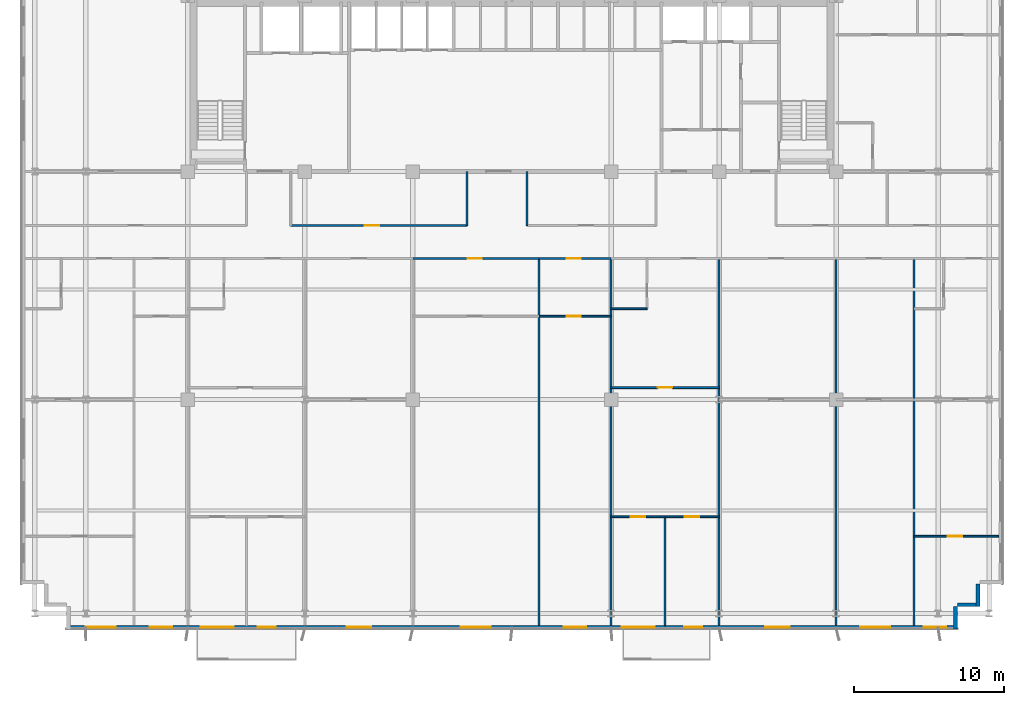
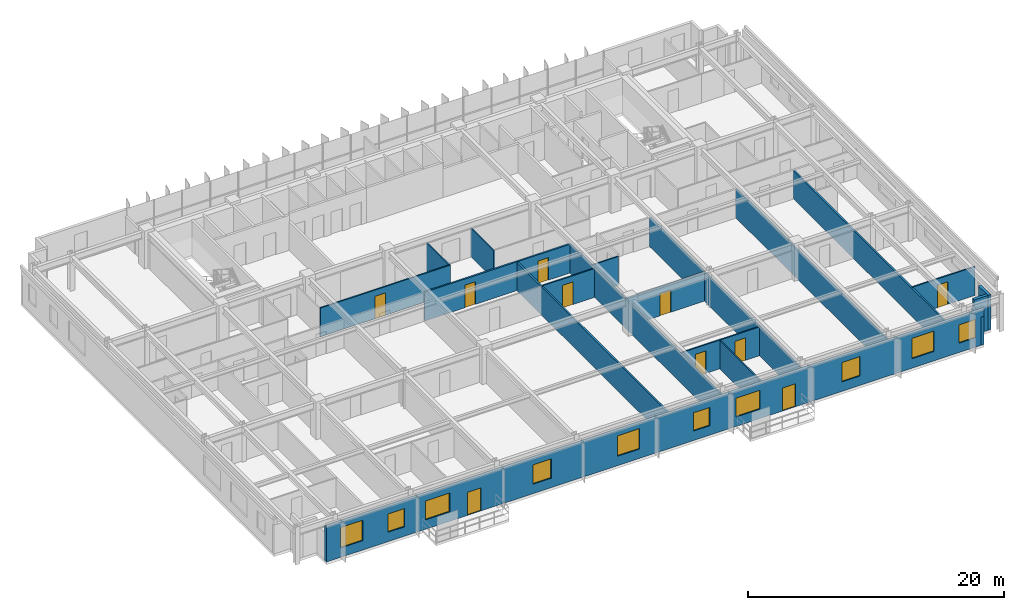
# One storey, part 16 of 22: 21 walls, 10 doors, 10 windows, 20 openings.
"""IFC4 building model written with IfcOpenShell, lengths in metres."""

import ifcopenshell
import ifcopenshell.guid

model = None  # the IFC model being written
_history = None  # IfcOwnerHistory: only IFC2X3 demands one
_inside = {}  # id of a spatial element -> (the spatial element, [elements in it])
_under = {}  # id of a project, library or spatial element -> (it, [spatial elements below it])
_declared = {}  # id of a project -> (the project, [libraries it declares])
_typed = {}  # id of a type object -> (the type object, [elements of that type])
_made_of = {}  # id of a material, layer set ... -> (it, [elements and type objects made of it])


def new_model(schema):
    """Start an empty IFC model of exactly this schema.

    Asked for "IFC4X3", IfcOpenShell would pick the latest addendum, in which some entities
    have other attributes; the version numbers below select the first issue.
    IFC2X3 requires an IfcOwnerHistory on every rooted entity: one is made here for all.
    """
    global model, _history
    if schema == "IFC4X3":
        model = ifcopenshell.file(schema_version=(4, 3, 0, 0))
    else:
        model = ifcopenshell.file(schema=schema)
    _inside.clear()
    _under.clear()
    _declared.clear()
    _typed.clear()
    _made_of.clear()
    _history = None
    if model.schema == "IFC2X3":
        org = make("IfcOrganization", Name="unknown")
        user = make(
            "IfcPersonAndOrganization",
            ThePerson=make("IfcPerson", FamilyName="unknown"),
            TheOrganization=org,
        )
        app = make(
            "IfcApplication",
            ApplicationDeveloper=org,
            Version="unknown",
            ApplicationFullName="unknown",
            ApplicationIdentifier="unknown",
        )
        _history = make(
            "IfcOwnerHistory",
            OwningUser=user,
            OwningApplication=app,
            ChangeAction="ADDED",
            CreationDate=0,
        )
    return model


def make(cls, **values):
    """One entity of the class cls with the attributes given. An attribute that is None is left unset."""
    return model.create_entity(
        cls, **{name: value for name, value in values.items() if value is not None}
    )


def rooted(cls, **values):
    """An entity with a GlobalId (a new one), such as an element, a storey or a relation."""
    return make(cls, GlobalId=ifcopenshell.guid.new(), OwnerHistory=_history, **values)


def si_unit(unit_type, name, prefix=None):
    """IfcSIUnit, for example si_unit("LENGTHUNIT", "METRE", prefix="MILLI")."""
    return make("IfcSIUnit", UnitType=unit_type, Prefix=prefix, Name=name)


def assignment(units):
    """IfcUnitAssignment: the units of a project."""
    return None if units is None else make("IfcUnitAssignment", Units=units)


def point(xyz):
    """IfcCartesianPoint."""
    return None if xyz is None else make("IfcCartesianPoint", Coordinates=xyz)


def direction(xyz):
    """IfcDirection."""
    return None if xyz is None else make("IfcDirection", DirectionRatios=xyz)


def frame(location, z_axis=None, x_axis=None):
    """IfcAxis2Placement3D, a coordinate frame: its origin and axes. An axis left out is left unset."""
    return make(
        "IfcAxis2Placement3D",
        Location=point(location),
        Axis=direction(z_axis),
        RefDirection=direction(x_axis),
    )


def frame_2d(location, x_axis=None):
    """IfcAxis2Placement2D, a coordinate frame in the plane: its origin and x axis."""
    return make(
        "IfcAxis2Placement2D", Location=point(location), RefDirection=direction(x_axis)
    )


def origin():
    """The frame at (0, 0, 0) with its axes left unset."""
    return frame((0.0, 0.0, 0.0))


def place(relative_to, where):
    """IfcLocalPlacement: puts the frame where relative to a parent placement (None: the world)."""
    return make(
        "IfcLocalPlacement", PlacementRelTo=relative_to, RelativePlacement=where
    )


def context(
    kind, dimensions, precision=None, world=None, true_north=None, identifier=None
):
    """IfcGeometricRepresentationContext, for example the 3D "Model" context."""
    return make(
        "IfcGeometricRepresentationContext",
        ContextIdentifier=identifier,
        ContextType=kind,
        CoordinateSpaceDimension=dimensions,
        Precision=precision,
        WorldCoordinateSystem=world,
        TrueNorth=true_north,
    )


def subcontext(parent, identifier, kind, view, scale=None):
    """IfcGeometricRepresentationSubContext, for example "Body" below "Model"."""
    return make(
        "IfcGeometricRepresentationSubContext",
        ContextIdentifier=identifier,
        ContextType=kind,
        ParentContext=parent,
        TargetScale=scale,
        TargetView=view,
    )


def project(units=None, contexts=None):
    """IfcProject with its units and contexts."""
    return rooted(
        "IfcProject",
        Name="project",
        RepresentationContexts=contexts,
        UnitsInContext=assignment(units),
    )


def spatial(cls, under=None, at=None, **own):
    """A site, building, storey or space (cls), placed at a placement, below another one or the project."""
    s = rooted(cls, ObjectPlacement=at, **own)
    if under is not None:
        _under.setdefault(under.id(), (under, []))[1].append(s)
    return s


def profile(cls, at=None, kind="AREA", **sizes):
    """A parametric profile (cls). Its sizes go by their IFC names, for example OverallWidth=200.0."""
    return make(cls, ProfileType=kind, Position=at, **sizes)


def rectangle(**sizes):
    """IfcRectangleProfileDef."""
    return profile("IfcRectangleProfileDef", **sizes)


def extrude(swept, where, along, depth):
    """IfcExtrudedAreaSolid: the profile swept, set in the frame where, extruded along a direction by depth."""
    return make(
        "IfcExtrudedAreaSolid",
        SweptArea=swept,
        Position=where,
        ExtrudedDirection=direction(along),
        Depth=depth,
    )


def shape(context_of_items, identifier, shape_type, items):
    """IfcShapeRepresentation: the items that make up one representation, for example the "Body"."""
    return make(
        "IfcShapeRepresentation",
        ContextOfItems=context_of_items,
        RepresentationIdentifier=identifier,
        RepresentationType=shape_type,
        Items=items,
    )


def source(mapping_origin, context_of_items, identifier, shape_type, items):
    """IfcRepresentationMap: a shape defined once, which mapped items show again and again."""
    return make(
        "IfcRepresentationMap",
        MappingOrigin=mapping_origin,
        MappedRepresentation=shape(context_of_items, identifier, shape_type, items),
    )


def transform(
    local_origin,
    x_axis=None,
    y_axis=None,
    z_axis=None,
    scale=None,
    scale2=None,
    scale3=None,
    uniform=True,
):
    """IfcCartesianTransformationOperator3D, or its non-uniform kind. x_axis, y_axis, z_axis: its Axis1, 2, 3."""
    if uniform:
        return make(
            "IfcCartesianTransformationOperator3D",
            Axis1=direction(x_axis),
            Axis2=direction(y_axis),
            LocalOrigin=point(local_origin),
            Scale=scale,
            Axis3=direction(z_axis),
        )
    return make(
        "IfcCartesianTransformationOperator3DnonUniform",
        Axis1=direction(x_axis),
        Axis2=direction(y_axis),
        LocalOrigin=point(local_origin),
        Scale=scale,
        Axis3=direction(z_axis),
        Scale2=scale2,
        Scale3=scale3,
    )


def mapped(mapping_source, mapping_target):
    """IfcMappedItem: shows the shape of a source again, moved by a transform."""
    return make(
        "IfcMappedItem", MappingSource=mapping_source, MappingTarget=mapping_target
    )


def material(Name=None, Category=None):
    """IfcMaterial."""
    return make("IfcMaterial", Name=Name, Category=Category)


def layer(
    of_material, thickness, ventilated=None, Name=None, Category=None, Priority=None
):
    """IfcMaterialLayer: one layer of a wall or slab, of a material (None: an air gap)."""
    return make(
        "IfcMaterialLayer",
        Material=of_material,
        LayerThickness=thickness,
        IsVentilated=ventilated,
        Name=Name,
        Category=Category,
        Priority=Priority,
    )


def layer_set(layers, Name=None):
    """IfcMaterialLayerSet."""
    return make("IfcMaterialLayerSet", MaterialLayers=layers, LayerSetName=Name)


def made_of(thing, what):
    """Note that an element or type object is made of a material, layer set ...; save() writes the relation."""
    if what is not None:
        _made_of.setdefault(what.id(), (what, []))[1].append(thing)
    return thing


def type_object(cls, material=None, **own):
    """A type object (cls), such as IfcWallType, which elements share."""
    return made_of(rooted(cls, **own), material)


def element(
    cls,
    number,
    at=None,
    inside=None,
    cuts=None,
    type_object=None,
    material=None,
    context=None,
    identifier="Body",
    shape_type=None,
    held_by="IfcProductDefinitionShape",
    body=None,
    shapes=None,
    **own,
):
    """One element of the class cls, such as IfcWall. Its Tag is "e" and its number.

    at: its placement. inside: the storey or other place that contains it. cuts: it is an
    opening in that element (IfcRelVoidsElement). A single representation is given by context,
    identifier, shape_type and body (its items); several are given by shapes. held_by: the class
    of the entity that holds the representations. save() writes the other relations.
    """
    e = rooted(cls, Tag="e%d" % number, ObjectPlacement=at, **own)
    if body is not None:
        shapes = [shape(context, identifier, shape_type, body)]
    if shapes is not None:
        e.Representation = make(held_by, Representations=shapes)
    if inside is not None:
        _inside.setdefault(inside.id(), (inside, []))[1].append(e)
    if cuts is not None:
        rooted(
            "IfcRelVoidsElement", RelatingBuildingElement=cuts, RelatedOpeningElement=e
        )
    if type_object is not None:
        _typed.setdefault(type_object.id(), (type_object, []))[1].append(e)
    return made_of(e, material)


def fill(opening, filler):
    """IfcRelFillsElement: the door or window that sits in an opening."""
    return rooted(
        "IfcRelFillsElement",
        RelatingOpeningElement=opening,
        RelatedBuildingElement=filler,
    )


def aggregate(whole, parts):
    """IfcRelAggregates: a whole, such as a stair, and the parts it consists of."""
    return rooted("IfcRelAggregates", RelatingObject=whole, RelatedObjects=parts)


def save(model, path):
    """Write the relations noted so far, then the file.

    IfcRelAggregates (storeys below a building ...), IfcRelContainedInSpatialStructure (elements
    in a storey), IfcRelDefinesByType, IfcRelAssociatesMaterial and IfcRelDeclares: one each for
    every whole, place, type object, material and project.
    """
    for whole, parts in _under.values():
        aggregate(whole, parts)
    for where, things in _inside.values():
        rooted(
            "IfcRelContainedInSpatialStructure",
            RelatedElements=things,
            RelatingStructure=where,
        )
    for kind, things in _typed.values():
        rooted("IfcRelDefinesByType", RelatedObjects=things, RelatingType=kind)
    for what, things in _made_of.values():
        rooted("IfcRelAssociatesMaterial", RelatedObjects=things, RelatingMaterial=what)
    for by, libraries in _declared.values():
        rooted("IfcRelDeclares", RelatingContext=by, RelatedDefinitions=libraries)
    model.write(path)


model = new_model("IFC4")

# Units and contexts
model_context = context("Model", 3, precision=1e-05, world=origin(), true_north=direction((0.0, 1.0)))
body_context = subcontext(model_context, "Body", "Model", "MODEL_VIEW")
ifc_project = project(units=[si_unit("LENGTHUNIT", "METRE"), si_unit("AREAUNIT", "SQUARE_METRE"), si_unit("VOLUMEUNIT", "CUBIC_METRE"), si_unit("PLANEANGLEUNIT", "RADIAN"), si_unit("MASSUNIT", "GRAM", prefix="KILO")], contexts=[model_context])

# Site, building, storey
site_placement = place(None, origin())
site = spatial("IfcSite", under=ifc_project, at=site_placement, CompositionType="ELEMENT")
building_placement = place(site_placement, origin())
building = spatial("IfcBuilding", under=site, at=building_placement, Name="Trelvane Seafront Commons", CompositionType="ELEMENT")
storey_placement = place(building_placement, frame((0.0, 0.0, 48.699951171875)))
storey = spatial("IfcBuildingStorey", under=building, at=storey_placement, Name="L12", CompositionType="ELEMENT", Elevation=48.699951171875)

# Walls
ifc_material_1 = material(Name="Precast concrete C40/50", Category="concrete")
ifc_layer_1 = layer(ifc_material_1, 0.260009765625, Name="ARCH-WALL-EXT260")
ifc_layer_set_1 = layer_set([ifc_layer_1], Name="Precast concrete C40/50")
wall_type_1 = type_object("IfcWallType", Name="ARCH-WALL-EXT260", PredefinedType="SOLIDWALL", material=ifc_layer_set_1)
for number, where, z_axis, x_axis, name in (
    (1, (68.27001953125, 5.89990234375, 0.0), (0.0, 0.0, 1.0), (0.0, -1.0, 0.0), "EW-L12-00208"),
    (2, (68.39990234375, 4.530029296875, 0.0), (0.0, 0.0, 1.0), (-1.0, 0.0, 0.0), "EW-L12-00209"),
):
    element("IfcWall", number, at=place(storey_placement, frame(where, z_axis=z_axis, x_axis=x_axis)), inside=storey, type_object=wall_type_1, Name=name, PredefinedType="SOLIDWALL", context=body_context, shape_type="SweptSolid", body=[
        extrude(rectangle(XDim=1.5, YDim=0.260009765625, at=frame_2d((0.75, 0.0))), origin(), (0.0, 0.0, 1.0), 3.340087890625),
    ])
wall_1_placement = place(storey_placement, frame((66.77001953125, 4.39990234375, 0.0), z_axis=(0.0, 0.0, 1.0), x_axis=(0.0, -1.0, 0.0)))
element("IfcWall", 3, at=wall_1_placement, inside=storey, type_object=wall_type_1, Name="EW-L12-00210", PredefinedType="SOLIDWALL", context=body_context, shape_type="SweptSolid", body=[
    extrude(rectangle(XDim=1.5, YDim=0.260009765625, at=frame_2d((0.75, 0.0))), origin(), (0.0, 0.0, 1.0), 2.68994140625),
])

# Wall, openings, doors, windows
wall_2_placement = place(storey_placement, frame((66.89990234375, 3.030029296875, 0.0), z_axis=(0.0, 0.0, 1.0), x_axis=(-1.0, 0.0, 0.0)))
wall_2 = element("IfcWall", 4, at=wall_2_placement, inside=storey, type_object=wall_type_1, Name="EW-L12-00211", PredefinedType="SOLIDWALL", context=body_context, shape_type="SweptSolid", body=[
    extrude(rectangle(XDim=59.39990234375, YDim=0.260009765625, at=frame_2d((29.699951171875, 0.0))), origin(), (0.0, 0.0, 1.0), 3.340087890625),
])
opening_1_placement = place(wall_2_placement, frame((0.7451171875, 0.0, 0.89990234375)))
opening_1 = element("IfcOpeningElement", 5, at=opening_1_placement, cuts=wall_2, Name="Opening W03", PredefinedType="OPENING", context=body_context, shape_type="SweptSolid", body=[
    extrude(rectangle(XDim=1.5, YDim=1.75, at=frame_2d((0.75, 0.875))), frame((0.0, 0.139892578125, 0.0), z_axis=(0.0, -1.0, 0.0), x_axis=(1.0, 0.0, 0.0)), (0.0, 0.0, 1.0), 0.280029296875),
])
opening_2_placement = place(wall_2_placement, frame((4.5, 0.0, 0.89990234375)))
opening_2 = element("IfcOpeningElement", 6, at=opening_2_placement, cuts=wall_2, Name="Opening W06", PredefinedType="OPENING", context=body_context, shape_type="SweptSolid", body=[
    extrude(rectangle(XDim=2.0, YDim=1.949951171875, at=frame_2d((1.0, 0.97509765625))), frame((0.0, 0.139892578125, 0.0), z_axis=(0.0, -1.0, 0.0), x_axis=(1.0, 0.0, 0.0)), (0.0, 0.0, 1.0), 0.280029296875),
])
opening_3_placement = place(wall_2_placement, frame((11.175048828125, 0.0, 0.89990234375)))
opening_3 = element("IfcOpeningElement", 7, at=opening_3_placement, cuts=wall_2, Name="Opening W07", PredefinedType="OPENING", context=body_context, shape_type="SweptSolid", body=[
    extrude(rectangle(XDim=1.64990234375, YDim=1.85009765625, at=frame_2d((0.824951171875, 0.925048828125))), frame((0.0, 0.139892578125, 0.0), z_axis=(0.0, -1.0, 0.0), x_axis=(1.0, 0.0, 0.0)), (0.0, 0.0, 1.0), 0.280029296875),
])
opening_4_placement = place(wall_2_placement, frame((17.007080078125, 0.0, 0.0)))
opening_4 = element("IfcOpeningElement", 8, at=opening_4_placement, cuts=wall_2, Name="Opening BD-L12-32", PredefinedType="OPENING", context=body_context, shape_type="SweptSolid", body=[
    extrude(rectangle(XDim=1.199951171875, YDim=2.199951171875, at=frame_2d((0.60009765625, 1.10009765625))), frame((0.0, 0.139892578125, 0.0), z_axis=(0.0, -1.0, 0.0), x_axis=(1.0, 0.0, 0.0)), (0.0, 0.0, 1.0), 0.280029296875),
])
opening_5_placement = place(wall_2_placement, frame((20.199951171875, 0.0, 0.89990234375)))
opening_5 = element("IfcOpeningElement", 9, at=opening_5_placement, cuts=wall_2, Name="Opening W02", PredefinedType="OPENING", context=body_context, shape_type="SweptSolid", body=[
    extrude(rectangle(XDim=2.199951171875, YDim=1.800048828125, at=frame_2d((1.10009765625, 0.89990234375))), frame((0.0, 0.139892578125, 0.0), z_axis=(0.0, -1.0, 0.0), x_axis=(1.0, 0.0, 0.0)), (0.0, 0.0, 1.0), 0.280029296875),
])
opening_6_placement = place(wall_2_placement, frame((24.75, 0.0, 0.89990234375)))
opening_6 = element("IfcOpeningElement", 10, at=opening_6_placement, cuts=wall_2, Name="Opening W03", PredefinedType="OPENING", context=body_context, shape_type="SweptSolid", body=[
    extrude(rectangle(XDim=1.5, YDim=1.75, at=frame_2d((0.75, 0.875))), frame((0.0, 0.139892578125, 0.0), z_axis=(0.0, -1.0, 0.0), x_axis=(1.0, 0.0, 0.0)), (0.0, 0.0, 1.0), 0.280029296875),
])
opening_7_placement = place(wall_2_placement, frame((31.10009765625, 0.0, 0.89990234375)))
opening_7 = element("IfcOpeningElement", 11, at=opening_7_placement, cuts=wall_2, Name="Opening W06", PredefinedType="OPENING", context=body_context, shape_type="SweptSolid", body=[
    extrude(rectangle(XDim=2.0, YDim=1.949951171875, at=frame_2d((1.0, 0.97509765625))), frame((0.0, 0.139892578125, 0.0), z_axis=(0.0, -1.0, 0.0), x_axis=(1.0, 0.0, 0.0)), (0.0, 0.0, 1.0), 0.280029296875),
])
opening_8_placement = place(wall_2_placement, frame((39.074951171875, 0.0, 0.89990234375)))
opening_8 = element("IfcOpeningElement", 12, at=opening_8_placement, cuts=wall_2, Name="Opening W07", PredefinedType="OPENING", context=body_context, shape_type="SweptSolid", body=[
    extrude(rectangle(XDim=1.64990234375, YDim=1.85009765625, at=frame_2d((0.824951171875, 0.925048828125))), frame((0.0, 0.139892578125, 0.0), z_axis=(0.0, -1.0, 0.0), x_axis=(1.0, 0.0, 0.0)), (0.0, 0.0, 1.0), 0.280029296875),
])
opening_9_placement = place(wall_2_placement, frame((45.43505859375, 0.0, 0.0)))
opening_9 = element("IfcOpeningElement", 13, at=opening_9_placement, cuts=wall_2, Name="Opening BD-L12-33", PredefinedType="OPENING", context=body_context, shape_type="SweptSolid", body=[
    extrude(rectangle(XDim=1.199951171875, YDim=2.199951171875, at=frame_2d((0.60009765625, 1.10009765625))), frame((0.0, 0.139892578125, 0.0), z_axis=(0.0, -1.0, 0.0), x_axis=(1.0, 0.0, 0.0)), (0.0, 0.0, 1.0), 0.280029296875),
])
opening_10_placement = place(wall_2_placement, frame((48.25, 0.0, 0.89990234375)))
opening_10 = element("IfcOpeningElement", 14, at=opening_10_placement, cuts=wall_2, Name="Opening W02", PredefinedType="OPENING", context=body_context, shape_type="SweptSolid", body=[
    extrude(rectangle(XDim=2.199951171875, YDim=1.800048828125, at=frame_2d((1.10009765625, 0.89990234375))), frame((0.0, 0.139892578125, 0.0), z_axis=(0.0, -1.0, 0.0), x_axis=(1.0, 0.0, 0.0)), (0.0, 0.0, 1.0), 0.280029296875),
])
opening_11_placement = place(wall_2_placement, frame((52.35009765625, 0.0, 0.89990234375)))
opening_11 = element("IfcOpeningElement", 15, at=opening_11_placement, cuts=wall_2, Name="Opening W03", PredefinedType="OPENING", context=body_context, shape_type="SweptSolid", body=[
    extrude(rectangle(XDim=1.5, YDim=1.75, at=frame_2d((0.75, 0.875))), frame((0.0, 0.139892578125, 0.0), z_axis=(0.0, -1.0, 0.0), x_axis=(1.0, 0.0, 0.0)), (0.0, 0.0, 1.0), 0.280029296875),
])
opening_12_placement = place(wall_2_placement, frame((56.10498046875, 0.0, 0.89990234375)))
opening_12 = element("IfcOpeningElement", 16, at=opening_12_placement, cuts=wall_2, Name="Opening W06", PredefinedType="OPENING", context=body_context, shape_type="SweptSolid", body=[
    extrude(rectangle(XDim=2.0, YDim=1.949951171875, at=frame_2d((1.0, 0.97509765625))), frame((0.0, 0.139892578125, 0.0), z_axis=(0.0, -1.0, 0.0), x_axis=(1.0, 0.0, 0.0)), (0.0, 0.0, 1.0), 0.280029296875),
])
ifc_material_2 = material(Name="Powder-coated aluminium frame", Category="aluminium")
door_type_1 = type_object("IfcDoorType", Name="ARCH-DR-BAL1200", OperationType="NOTDEFINED", PredefinedType="DOOR", material=ifc_material_2)
shared_shape_1 = source(origin(), body_context, "Body", "SweptSolid", [
    extrude(rectangle(XDim=1.199951171875, YDim=2.199951171875, at=frame_2d((0.60009765625, 1.10009765625))), frame((0.0, 0.02490234375, 0.0), z_axis=(0.0, -1.0, 0.0), x_axis=(1.0, 0.0, 0.0)), (0.0, 0.0, 1.0), 0.050048828125),
])
door_1_placement = place(opening_4_placement, origin())
door_1 = element("IfcDoor", 17, at=door_1_placement, inside=storey, type_object=door_type_1, Name="L12 Balcony Terrace Access Door", OperationType="SINGLE_SWING_LEFT", OverallHeight=2.199951171875, OverallWidth=1.199951171875, PredefinedType="DOOR", context=body_context, shape_type="MappedRepresentation", body=[
    mapped(shared_shape_1, transform((0.0, 0.0, 0.0), x_axis=(1.0, 0.0, 0.0), y_axis=(0.0, 1.0, 0.0), z_axis=(0.0, 0.0, 1.0), scale=1.0)),
])
fill(opening_4, door_1)
door_2_placement = place(opening_9_placement, origin())
door_2 = element("IfcDoor", 18, at=door_2_placement, inside=storey, type_object=door_type_1, Name="L12 Balcony Terrace Access Door", OperationType="SINGLE_SWING_LEFT", OverallHeight=2.199951171875, OverallWidth=1.199951171875, PredefinedType="DOOR", context=body_context, shape_type="MappedRepresentation", body=[
    mapped(shared_shape_1, transform((0.0, 0.0, 0.0), x_axis=(1.0, 0.0, 0.0), y_axis=(0.0, 1.0, 0.0), z_axis=(0.0, 0.0, 1.0), scale=1.0)),
])
fill(opening_9, door_2)
ifc_material_3 = material(Name="Low-E coastal double glazing", Category="glass")
window_type_1 = type_object("IfcWindowType", Name="ARCH-WIN-W02", PartitioningType="SINGLE_PANEL", PredefinedType="WINDOW", material=ifc_material_3)
shared_shape_2 = source(origin(), body_context, "Body", "SweptSolid", [
    extrude(rectangle(XDim=2.199951171875, YDim=1.800048828125, at=frame_2d((1.10009765625, 0.89990234375))), frame((0.0, 0.030029296875, 0.0), z_axis=(0.0, -1.0, 0.0), x_axis=(1.0, 0.0, 0.0)), (0.0, 0.0, 1.0), 0.06005859375),
])
window_1_placement = place(opening_5_placement, origin())
window_1 = element("IfcWindow", 19, at=window_1_placement, inside=storey, type_object=window_type_1, Name="WIN-L12-00255", OverallHeight=1.800048828125, OverallWidth=2.199951171875, PartitioningType="SINGLE_PANEL", PredefinedType="WINDOW", context=body_context, shape_type="MappedRepresentation", body=[
    mapped(shared_shape_2, transform((0.0, 0.0, 0.0), x_axis=(1.0, 0.0, 0.0), y_axis=(0.0, 1.0, 0.0), z_axis=(0.0, 0.0, 1.0), scale=1.0)),
])
fill(opening_5, window_1)
window_2_placement = place(opening_10_placement, origin())
window_2 = element("IfcWindow", 20, at=window_2_placement, inside=storey, type_object=window_type_1, Name="WIN-L12-00259", OverallHeight=1.800048828125, OverallWidth=2.199951171875, PartitioningType="SINGLE_PANEL", PredefinedType="WINDOW", context=body_context, shape_type="MappedRepresentation", body=[
    mapped(shared_shape_2, transform((0.0, 0.0, 0.0), x_axis=(1.0, 0.0, 0.0), y_axis=(0.0, 1.0, 0.0), z_axis=(0.0, 0.0, 1.0), scale=1.0)),
])
fill(opening_10, window_2)
window_type_2 = type_object("IfcWindowType", Name="ARCH-WIN-W03", PartitioningType="SINGLE_PANEL", PredefinedType="WINDOW", material=ifc_material_3)
shared_shape_3 = source(origin(), body_context, "Body", "SweptSolid", [
    extrude(rectangle(XDim=1.5, YDim=1.75, at=frame_2d((0.75, 0.875))), frame((0.0, 0.030029296875, 0.0), z_axis=(0.0, -1.0, 0.0), x_axis=(1.0, 0.0, 0.0)), (0.0, 0.0, 1.0), 0.06005859375),
])
window_3_placement = place(opening_1_placement, origin())
window_3 = element("IfcWindow", 21, at=window_3_placement, inside=storey, type_object=window_type_2, Name="WIN-L12-00252", OverallHeight=1.75, OverallWidth=1.5, PartitioningType="SINGLE_PANEL", PredefinedType="WINDOW", context=body_context, shape_type="MappedRepresentation", body=[
    mapped(shared_shape_3, transform((0.0, 0.0, 0.0), x_axis=(1.0, 0.0, 0.0), y_axis=(0.0, 1.0, 0.0), z_axis=(0.0, 0.0, 1.0), scale=1.0)),
])
fill(opening_1, window_3)
window_4_placement = place(opening_6_placement, origin())
window_4 = element("IfcWindow", 22, at=window_4_placement, inside=storey, type_object=window_type_2, Name="WIN-L12-00256", OverallHeight=1.75, OverallWidth=1.5, PartitioningType="SINGLE_PANEL", PredefinedType="WINDOW", context=body_context, shape_type="MappedRepresentation", body=[
    mapped(shared_shape_3, transform((0.0, 0.0, 0.0), x_axis=(1.0, 0.0, 0.0), y_axis=(0.0, 1.0, 0.0), z_axis=(0.0, 0.0, 1.0), scale=1.0)),
])
fill(opening_6, window_4)
window_5_placement = place(opening_11_placement, origin())
window_5 = element("IfcWindow", 23, at=window_5_placement, inside=storey, type_object=window_type_2, Name="WIN-L12-00260", OverallHeight=1.75, OverallWidth=1.5, PartitioningType="SINGLE_PANEL", PredefinedType="WINDOW", context=body_context, shape_type="MappedRepresentation", body=[
    mapped(shared_shape_3, transform((0.0, 0.0, 0.0), x_axis=(1.0, 0.0, 0.0), y_axis=(0.0, 1.0, 0.0), z_axis=(0.0, 0.0, 1.0), scale=1.0)),
])
fill(opening_11, window_5)
window_type_3 = type_object("IfcWindowType", Name="ARCH-WIN-W06", PartitioningType="SINGLE_PANEL", PredefinedType="WINDOW", material=ifc_material_3)
shared_shape_4 = source(origin(), body_context, "Body", "SweptSolid", [
    extrude(rectangle(XDim=2.0, YDim=1.949951171875, at=frame_2d((1.0, 0.97509765625))), frame((0.0, 0.030029296875, 0.0), z_axis=(0.0, -1.0, 0.0), x_axis=(1.0, 0.0, 0.0)), (0.0, 0.0, 1.0), 0.06005859375),
])
window_6_placement = place(opening_2_placement, origin())
window_6 = element("IfcWindow", 24, at=window_6_placement, inside=storey, type_object=window_type_3, Name="WIN-L12-00253", OverallHeight=1.949951171875, OverallWidth=2.0, PartitioningType="SINGLE_PANEL", PredefinedType="WINDOW", context=body_context, shape_type="MappedRepresentation", body=[
    mapped(shared_shape_4, transform((0.0, 0.0, 0.0), x_axis=(1.0, 0.0, 0.0), y_axis=(0.0, 1.0, 0.0), z_axis=(0.0, 0.0, 1.0), scale=1.0)),
])
fill(opening_2, window_6)
window_7_placement = place(opening_7_placement, origin())
window_7 = element("IfcWindow", 25, at=window_7_placement, inside=storey, type_object=window_type_3, Name="WIN-L12-00257", OverallHeight=1.949951171875, OverallWidth=2.0, PartitioningType="SINGLE_PANEL", PredefinedType="WINDOW", context=body_context, shape_type="MappedRepresentation", body=[
    mapped(shared_shape_4, transform((0.0, 0.0, 0.0), x_axis=(1.0, 0.0, 0.0), y_axis=(0.0, 1.0, 0.0), z_axis=(0.0, 0.0, 1.0), scale=1.0)),
])
fill(opening_7, window_7)
window_8_placement = place(opening_12_placement, origin())
window_8 = element("IfcWindow", 26, at=window_8_placement, inside=storey, type_object=window_type_3, Name="WIN-L12-00261", OverallHeight=1.949951171875, OverallWidth=2.0, PartitioningType="SINGLE_PANEL", PredefinedType="WINDOW", context=body_context, shape_type="MappedRepresentation", body=[
    mapped(shared_shape_4, transform((0.0, 0.0, 0.0), x_axis=(1.0, 0.0, 0.0), y_axis=(0.0, 1.0, 0.0), z_axis=(0.0, 0.0, 1.0), scale=1.0)),
])
fill(opening_12, window_8)
window_type_4 = type_object("IfcWindowType", Name="ARCH-WIN-W07", PartitioningType="SINGLE_PANEL", PredefinedType="WINDOW", material=ifc_material_3)
shared_shape_5 = source(origin(), body_context, "Body", "SweptSolid", [
    extrude(rectangle(XDim=1.64990234375, YDim=1.85009765625, at=frame_2d((0.824951171875, 0.925048828125))), frame((0.0, 0.030029296875, 0.0), z_axis=(0.0, -1.0, 0.0), x_axis=(1.0, 0.0, 0.0)), (0.0, 0.0, 1.0), 0.06005859375),
])
window_9_placement = place(opening_3_placement, origin())
window_9 = element("IfcWindow", 27, at=window_9_placement, inside=storey, type_object=window_type_4, Name="WIN-L12-00254", OverallHeight=1.85009765625, OverallWidth=1.64990234375, PartitioningType="SINGLE_PANEL", PredefinedType="WINDOW", context=body_context, shape_type="MappedRepresentation", body=[
    mapped(shared_shape_5, transform((0.0, 0.0, 0.0), x_axis=(1.0, 0.0, 0.0), y_axis=(0.0, 1.0, 0.0), z_axis=(0.0, 0.0, 1.0), scale=1.0)),
])
fill(opening_3, window_9)
window_10_placement = place(opening_8_placement, origin())
window_10 = element("IfcWindow", 28, at=window_10_placement, inside=storey, type_object=window_type_4, Name="WIN-L12-00258", OverallHeight=1.85009765625, OverallWidth=1.64990234375, PartitioningType="SINGLE_PANEL", PredefinedType="WINDOW", context=body_context, shape_type="MappedRepresentation", body=[
    mapped(shared_shape_5, transform((0.0, 0.0, 0.0), x_axis=(1.0, 0.0, 0.0), y_axis=(0.0, 1.0, 0.0), z_axis=(0.0, 0.0, 1.0), scale=1.0)),
])
fill(opening_8, window_10)

# Wall, opening, door
ifc_material_4 = material(Name="Gypsum Drywall Acoustic Partition")
ifc_layer_2 = layer(ifc_material_4, 0.1201171875, Name="ARCH-WALL-PART120")
ifc_layer_set_2 = layer_set([ifc_layer_2], Name="Gypsum Drywall Acoustic Partition")
wall_type_2 = type_object("IfcWallType", Name="ARCH-WALL-PART120", PredefinedType="PARTITIONING", material=ifc_layer_set_2)
wall_3_placement = place(storey_placement, frame((22.449951171875, 29.800048828125, 0.0), z_axis=(0.0, 0.0, 1.0), x_axis=(1.0, 0.0, 0.0)))
wall_3 = element("IfcWall", 29, at=wall_3_placement, inside=storey, type_object=wall_type_2, Name="W-L12-CORR-N-M1-039", PredefinedType="PARTITIONING", context=body_context, shape_type="SweptSolid", body=[
    extrude(rectangle(XDim=11.75, YDim=0.1201171875, at=frame_2d((5.875, 0.0))), origin(), (0.0, 0.0, 1.0), 2.751953125),
])
opening_13_placement = place(wall_3_placement, frame((4.944091796875, 0.0, 0.0)))
opening_13 = element("IfcOpeningElement", 30, at=opening_13_placement, cuts=wall_3, Name="Opening D-L12-19", PredefinedType="OPENING", context=body_context, shape_type="SweptSolid", body=[
    extrude(rectangle(XDim=0.949951171875, YDim=2.14990234375, at=frame_2d((0.47509765625, 1.074951171875))), frame((0.0, 0.070068359375, 0.0), z_axis=(0.0, -1.0, 0.0), x_axis=(1.0, 0.0, 0.0)), (0.0, 0.0, 1.0), 0.14013671875),
])
ifc_material_5 = material(Name="Acoustic timber door leaf", Category="wood")
door_type_2 = type_object("IfcDoorType", Name="ARCH-DR-INT950", OperationType="NOTDEFINED", PredefinedType="DOOR", material=ifc_material_5)
shared_shape_6 = source(origin(), body_context, "Body", "SweptSolid", [
    extrude(rectangle(XDim=0.949951171875, YDim=2.14990234375, at=frame_2d((0.47509765625, 1.074951171875))), frame((0.0, 0.02490234375, 0.0), z_axis=(0.0, -1.0, 0.0), x_axis=(1.0, 0.0, 0.0)), (0.0, 0.0, 1.0), 0.050048828125),
])
door_3_placement = place(opening_13_placement, origin())
door_3 = element("IfcDoor", 31, at=door_3_placement, inside=storey, type_object=door_type_2, Name="L12 Door 19", OperationType="SINGLE_SWING_LEFT", OverallHeight=2.14990234375, OverallWidth=0.949951171875, PredefinedType="DOOR", context=body_context, shape_type="MappedRepresentation", body=[
    mapped(shared_shape_6, transform((0.0, 0.0, 0.0), x_axis=(1.0, 0.0, 0.0), y_axis=(0.0, 1.0, 0.0), z_axis=(0.0, 0.0, 1.0), scale=1.0)),
])
fill(opening_13, door_3)

# Walls
for number, where, z_axis, x_axis, name in (
    (32, (34.199951171875, 29.800048828125, 0.0), (0.0, 0.0, 1.0), (0.0, 1.0, 0.0), "W-L12-N-SPUR-M1-045"),
    (33, (38.199951171875, 29.800048828125, 0.0), (0.0, 0.0, 1.0), (0.0, 1.0, 0.0), "W-L12-N-SPUR-M2-046"),
):
    element("IfcWall", number, at=place(storey_placement, frame(where, z_axis=z_axis, x_axis=x_axis)), inside=storey, type_object=wall_type_2, Name=name, PredefinedType="PARTITIONING", context=body_context, shape_type="SweptSolid", body=[
        extrude(rectangle(XDim=3.599853515625, YDim=0.1201171875, at=frame_2d((1.7998046875, 0.0))), origin(), (0.0, 0.0, 1.0), 2.68994140625),
    ])

# Wall, opening, door
wall_4_placement = place(storey_placement, frame((39.0, 23.75, 0.0), z_axis=(0.0, 0.0, 1.0), x_axis=(1.0, 0.0, 0.0)))
wall_4 = element("IfcWall", 34, at=wall_4_placement, inside=storey, type_object=wall_type_2, Name="W-L12-U6-DIV-087", PredefinedType="PARTITIONING", context=body_context, shape_type="SweptSolid", body=[
    extrude(rectangle(XDim=4.800048828125, YDim=0.1201171875, at=frame_2d((2.39990234375, 0.0))), origin(), (0.0, 0.0, 1.0), 2.751953125),
])
opening_14_placement = place(wall_4_placement, frame((1.833984375, 0.0, 0.0)))
opening_14 = element("IfcOpeningElement", 35, at=opening_14_placement, cuts=wall_4, Name="Opening D-L12-47", PredefinedType="OPENING", context=body_context, shape_type="SweptSolid", body=[
    extrude(rectangle(XDim=0.949951171875, YDim=2.14990234375, at=frame_2d((0.47509765625, 1.074951171875))), frame((0.0, 0.070068359375, 0.0), z_axis=(0.0, -1.0, 0.0), x_axis=(1.0, 0.0, 0.0)), (0.0, 0.0, 1.0), 0.14013671875),
])
door_4_placement = place(opening_14_placement, origin())
door_4 = element("IfcDoor", 36, at=door_4_placement, inside=storey, type_object=door_type_2, Name="L12 Door 47", OperationType="SINGLE_SWING_LEFT", OverallHeight=2.14990234375, OverallWidth=0.949951171875, PredefinedType="DOOR", context=body_context, shape_type="MappedRepresentation", body=[
    mapped(shared_shape_6, transform((0.0, 0.0, 0.0), x_axis=(1.0, 0.0, 0.0), y_axis=(0.0, 1.0, 0.0), z_axis=(0.0, 0.0, 1.0), scale=1.0)),
])
fill(opening_14, door_4)

wall_5_placement = place(storey_placement, frame((43.800048828125, 19.0, 0.0), z_axis=(0.0, 0.0, 1.0), x_axis=(1.0, 0.0, 0.0)))
wall_5 = element("IfcWall", 37, at=wall_5_placement, inside=storey, type_object=wall_type_2, Name="W-L12-U7-KL-088", PredefinedType="PARTITIONING", context=body_context, shape_type="SweptSolid", body=[
    extrude(rectangle(XDim=7.199951171875, YDim=0.1201171875, at=frame_2d((3.60009765625, 0.0))), origin(), (0.0, 0.0, 1.0), 2.751953125),
])
opening_15_placement = place(wall_5_placement, frame((3.125, 0.0, 0.0)))
opening_15 = element("IfcOpeningElement", 38, at=opening_15_placement, cuts=wall_5, Name="Opening D-L12-48", PredefinedType="OPENING", context=body_context, shape_type="SweptSolid", body=[
    extrude(rectangle(XDim=0.949951171875, YDim=2.14990234375, at=frame_2d((0.47509765625, 1.074951171875))), frame((0.0, 0.070068359375, 0.0), z_axis=(0.0, -1.0, 0.0), x_axis=(1.0, 0.0, 0.0)), (0.0, 0.0, 1.0), 0.14013671875),
])
door_5_placement = place(opening_15_placement, origin())
door_5 = element("IfcDoor", 39, at=door_5_placement, inside=storey, type_object=door_type_2, Name="L12 Door 48", OperationType="SINGLE_SWING_RIGHT", OverallHeight=2.14990234375, OverallWidth=0.949951171875, PredefinedType="DOOR", context=body_context, shape_type="MappedRepresentation", body=[
    mapped(shared_shape_6, transform((0.0, 0.0, 0.0), x_axis=(1.0, 0.0, 0.0), y_axis=(0.0, 1.0, 0.0), z_axis=(0.0, 0.0, 1.0), scale=1.0)),
])
fill(opening_15, door_5)

# Wall
wall_6_placement = place(storey_placement, frame((43.800048828125, 24.25, 0.0), z_axis=(0.0, 0.0, 1.0), x_axis=(1.0, 0.0, 0.0)))
element("IfcWall", 40, at=wall_6_placement, inside=storey, type_object=wall_type_2, Name="W-L12-U7-BS-090", PredefinedType="PARTITIONING", context=body_context, shape_type="SweptSolid", body=[
    extrude(rectangle(XDim=2.39990234375, YDim=0.1201171875, at=frame_2d((1.199951171875, 0.0))), origin(), (0.0, 0.0, 1.0), 2.751953125),
])

# Wall, opening, door
wall_7_placement = place(storey_placement, frame((43.800048828125, 10.39990234375, 0.0), z_axis=(0.0, 0.0, 1.0), x_axis=(1.0, 0.0, 0.0)))
wall_7 = element("IfcWall", 41, at=wall_7_placement, inside=storey, type_object=wall_type_2, Name="W-L12-U7-YM-1-092", PredefinedType="PARTITIONING", context=body_context, shape_type="SweptSolid", body=[
    extrude(rectangle(XDim=3.599853515625, YDim=0.1201171875, at=frame_2d((1.7998046875, 0.0))), origin(), (0.0, 0.0, 1.0), 2.751953125),
])
opening_16_placement = place(wall_7_placement, frame((1.324951171875, 0.0, 0.0)))
opening_16 = element("IfcOpeningElement", 42, at=opening_16_placement, cuts=wall_7, Name="Opening D-L12-51", PredefinedType="OPENING", context=body_context, shape_type="SweptSolid", body=[
    extrude(rectangle(XDim=0.949951171875, YDim=2.14990234375, at=frame_2d((0.47509765625, 1.074951171875))), frame((0.0, 0.070068359375, 0.0), z_axis=(0.0, -1.0, 0.0), x_axis=(1.0, 0.0, 0.0)), (0.0, 0.0, 1.0), 0.14013671875),
])
door_6_placement = place(opening_16_placement, origin())
door_6 = element("IfcDoor", 43, at=door_6_placement, inside=storey, type_object=door_type_2, Name="L12 Door 51", OperationType="SINGLE_SWING_LEFT", OverallHeight=2.14990234375, OverallWidth=0.949951171875, PredefinedType="DOOR", context=body_context, shape_type="MappedRepresentation", body=[
    mapped(shared_shape_6, transform((0.0, 0.0, 0.0), x_axis=(1.0, 0.0, 0.0), y_axis=(0.0, 1.0, 0.0), z_axis=(0.0, 0.0, 1.0), scale=1.0)),
])
fill(opening_16, door_6)

wall_8_placement = place(storey_placement, frame((47.39990234375, 10.39990234375, 0.0), z_axis=(0.0, 0.0, 1.0), x_axis=(1.0, 0.0, 0.0)))
wall_8 = element("IfcWall", 44, at=wall_8_placement, inside=storey, type_object=wall_type_2, Name="W-L12-U7-YM-2-093", PredefinedType="PARTITIONING", context=body_context, shape_type="SweptSolid", body=[
    extrude(rectangle(XDim=3.60009765625, YDim=0.1201171875, at=frame_2d((1.800048828125, 0.0))), origin(), (0.0, 0.0, 1.0), 2.751953125),
])
opening_17_placement = place(wall_8_placement, frame((1.324951171875, 0.0, 0.0)))
opening_17 = element("IfcOpeningElement", 45, at=opening_17_placement, cuts=wall_8, Name="Opening D-L12-52", PredefinedType="OPENING", context=body_context, shape_type="SweptSolid", body=[
    extrude(rectangle(XDim=0.949951171875, YDim=2.14990234375, at=frame_2d((0.47509765625, 1.074951171875))), frame((0.0, 0.070068359375, 0.0), z_axis=(0.0, -1.0, 0.0), x_axis=(1.0, 0.0, 0.0)), (0.0, 0.0, 1.0), 0.14013671875),
])
door_7_placement = place(opening_17_placement, origin())
door_7 = element("IfcDoor", 46, at=door_7_placement, inside=storey, type_object=door_type_2, Name="L12 Door 52", OperationType="SINGLE_SWING_RIGHT", OverallHeight=2.14990234375, OverallWidth=0.949951171875, PredefinedType="DOOR", context=body_context, shape_type="MappedRepresentation", body=[
    mapped(shared_shape_6, transform((0.0, 0.0, 0.0), x_axis=(1.0, 0.0, 0.0), y_axis=(0.0, 1.0, 0.0), z_axis=(0.0, 0.0, 1.0), scale=1.0)),
])
fill(opening_17, door_7)

# Wall
wall_9_placement = place(storey_placement, frame((47.39990234375, 3.14501953125, 0.0), z_axis=(0.0, 0.0, 1.0), x_axis=(0.0, 1.0, 0.0)))
element("IfcWall", 47, at=wall_9_placement, inside=storey, type_object=wall_type_2, Name="W-L12-U7-BDV-1-094", PredefinedType="PARTITIONING", context=body_context, shape_type="SweptSolid", body=[
    extrude(rectangle(XDim=7.2548828125, YDim=0.1201171875, at=frame_2d((3.62744140625, 0.0))), origin(), (0.0, 0.0, 1.0), 2.68994140625),
])

# Wall, opening, door
wall_10_placement = place(storey_placement, frame((64.0, 9.10009765625, 0.0), z_axis=(0.0, 0.0, 1.0), x_axis=(1.0, 0.0, 0.0)))
wall_10 = element("IfcWall", 48, at=wall_10_placement, inside=storey, type_object=wall_type_2, Name="W-L12-U10-YM-1-103", PredefinedType="PARTITIONING", context=body_context, shape_type="SweptSolid", body=[
    extrude(rectangle(XDim=5.639892578125, YDim=0.1201171875, at=frame_2d((2.81982421875, 0.0))), origin(), (0.0, 0.0, 1.0), 2.751953125),
])
opening_18_placement = place(wall_10_placement, frame((2.2509765625, 0.0, 0.0)))
opening_18 = element("IfcOpeningElement", 49, at=opening_18_placement, cuts=wall_10, Name="Opening D-L12-60", PredefinedType="OPENING", context=body_context, shape_type="SweptSolid", body=[
    extrude(rectangle(XDim=0.949951171875, YDim=2.14990234375, at=frame_2d((0.47509765625, 1.074951171875))), frame((0.0, 0.070068359375, 0.0), z_axis=(0.0, -1.0, 0.0), x_axis=(1.0, 0.0, 0.0)), (0.0, 0.0, 1.0), 0.14013671875),
])
door_8_placement = place(opening_18_placement, origin())
door_8 = element("IfcDoor", 50, at=door_8_placement, inside=storey, type_object=door_type_2, Name="L12 Door 60", OperationType="SINGLE_SWING_RIGHT", OverallHeight=2.14990234375, OverallWidth=0.949951171875, PredefinedType="DOOR", context=body_context, shape_type="MappedRepresentation", body=[
    mapped(shared_shape_6, transform((0.0, 0.0, 0.0), x_axis=(1.0, 0.0, 0.0), y_axis=(0.0, 1.0, 0.0), z_axis=(0.0, 0.0, 1.0), scale=1.0)),
])
fill(opening_18, door_8)

# Walls
ifc_layer_3 = layer(ifc_material_4, 0.14990234375, Name="ARCH-WALL-PART150")
ifc_layer_set_3 = layer_set([ifc_layer_3], Name="Gypsum Drywall Acoustic Partition")
wall_type_3 = type_object("IfcWallType", Name="ARCH-WALL-PART150", PredefinedType="PARTITIONING", material=ifc_layer_set_3)
wall_11_placement = place(storey_placement, frame((39.0, 3.14501953125, 0.0), z_axis=(0.0, 0.0, 1.0), x_axis=(0.0, 1.0, 0.0)))
element("IfcWall", 51, at=wall_11_placement, inside=storey, type_object=wall_type_3, Name="W-L12-PW-5-063", PredefinedType="PARTITIONING", context=body_context, shape_type="SweptSolid", body=[
    extrude(rectangle(XDim=24.455078125, YDim=0.14990234375, at=frame_2d((12.2275390625, 0.0))), origin(), (0.0, 0.0, 1.0), 2.68994140625),
])
for number, where, z_axis, x_axis, name in (
    (52, (43.800048828125, 3.14501953125, 0.0), (0.0, 0.0, 1.0), (0.0, 1.0, 0.0), "W-L12-PW-6-064"),
    (53, (51.0, 3.14501953125, 0.0), (0.0, 0.0, 1.0), (0.0, 1.0, 0.0), "W-L12-PW-7-065"),
    (54, (58.800048828125, 3.14501953125, 0.0), (0.0, 0.0, 1.0), (0.0, 1.0, 0.0), "W-L12-PW-8-066"),
):
    element("IfcWall", number, at=place(storey_placement, frame(where, z_axis=z_axis, x_axis=x_axis)), inside=storey, type_object=wall_type_3, Name=name, PredefinedType="PARTITIONING", context=body_context, shape_type="SweptSolid", body=[
        extrude(rectangle(XDim=24.455078125, YDim=0.14990234375, at=frame_2d((12.2275390625, 0.0))), origin(), (0.0, 0.0, 1.0), 2.751953125),
    ])
wall_12_placement = place(storey_placement, frame((64.0, 3.14501953125, 0.0), z_axis=(0.0, 0.0, 1.0), x_axis=(0.0, 1.0, 0.0)))
element("IfcWall", 55, at=wall_12_placement, inside=storey, type_object=wall_type_3, Name="W-L12-PW-9-067", PredefinedType="PARTITIONING", context=body_context, shape_type="SweptSolid", body=[
    extrude(rectangle(XDim=24.455078125, YDim=0.14990234375, at=frame_2d((12.2275390625, 0.0))), origin(), (0.0, 0.0, 1.0), 2.68994140625),
])

# Wall, opening, door
wall_13_placement = place(storey_placement, frame((30.60009765625, 27.60009765625, 0.0), z_axis=(0.0, 0.0, 1.0), x_axis=(1.0, 0.0, 0.0)))
wall_13 = element("IfcWall", 56, at=wall_13_placement, inside=storey, type_object=wall_type_3, Name="W-L12-CS-BAY-5-084", PredefinedType="PARTITIONING", context=body_context, shape_type="SweptSolid", body=[
    extrude(rectangle(XDim=8.39990234375, YDim=0.14990234375, at=frame_2d((4.199951171875, 0.0))), origin(), (0.0, 0.0, 1.0), 2.751953125),
])
opening_19_placement = place(wall_13_placement, frame((3.635009765625, 0.0, 0.0)))
opening_19 = element("IfcOpeningElement", 57, at=opening_19_placement, cuts=wall_13, Name="Opening FD-L12-44", PredefinedType="OPENING", context=body_context, shape_type="SweptSolid", body=[
    extrude(rectangle(XDim=0.949951171875, YDim=2.14990234375, at=frame_2d((0.47509765625, 1.074951171875))), frame((0.0, 0.0849609375, 0.0), z_axis=(0.0, -1.0, 0.0), x_axis=(1.0, 0.0, 0.0)), (0.0, 0.0, 1.0), 0.169921875),
])
door_type_3 = type_object("IfcDoorType", Name="ARCH-DR-FD60-950", OperationType="NOTDEFINED", PredefinedType="DOOR", material=ifc_material_2)
door_9_placement = place(opening_19_placement, origin())
door_9 = element("IfcDoor", 58, at=door_9_placement, inside=storey, type_object=door_type_3, Name="L12 Bay 05 Entrance Door", OperationType="SINGLE_SWING_RIGHT", OverallHeight=2.14990234375, OverallWidth=0.949951171875, PredefinedType="DOOR", context=body_context, shape_type="MappedRepresentation", body=[
    mapped(shared_shape_6, transform((0.0, 0.0, 0.0), x_axis=(1.0, 0.0, 0.0), y_axis=(0.0, 1.0, 0.0), z_axis=(0.0, 0.0, 1.0), scale=1.0)),
])
fill(opening_19, door_9)

wall_14_placement = place(storey_placement, frame((39.0, 27.60009765625, 0.0), z_axis=(0.0, 0.0, 1.0), x_axis=(1.0, 0.0, 0.0)))
wall_14 = element("IfcWall", 59, at=wall_14_placement, inside=storey, type_object=wall_type_3, Name="W-L12-CS-BAY-6-086", PredefinedType="PARTITIONING", context=body_context, shape_type="SweptSolid", body=[
    extrude(rectangle(XDim=4.800048828125, YDim=0.14990234375, at=frame_2d((2.39990234375, 0.0))), origin(), (0.0, 0.0, 1.0), 2.751953125),
])
opening_20_placement = place(wall_14_placement, frame((1.833984375, 0.0, 0.0)))
opening_20 = element("IfcOpeningElement", 60, at=opening_20_placement, cuts=wall_14, Name="Opening FD-L12-46", PredefinedType="OPENING", context=body_context, shape_type="SweptSolid", body=[
    extrude(rectangle(XDim=0.949951171875, YDim=2.14990234375, at=frame_2d((0.47509765625, 1.074951171875))), frame((0.0, 0.0849609375, 0.0), z_axis=(0.0, -1.0, 0.0), x_axis=(1.0, 0.0, 0.0)), (0.0, 0.0, 1.0), 0.169921875),
])
door_10_placement = place(opening_20_placement, origin())
door_10 = element("IfcDoor", 61, at=door_10_placement, inside=storey, type_object=door_type_3, Name="L12 Bay 06 Entrance Door", OperationType="SINGLE_SWING_RIGHT", OverallHeight=2.14990234375, OverallWidth=0.949951171875, PredefinedType="DOOR", context=body_context, shape_type="MappedRepresentation", body=[
    mapped(shared_shape_6, transform((0.0, 0.0, 0.0), x_axis=(1.0, 0.0, 0.0), y_axis=(0.0, 1.0, 0.0), z_axis=(0.0, 0.0, 1.0), scale=1.0)),
])
fill(opening_20, door_10)

save(model, "model.ifc")
